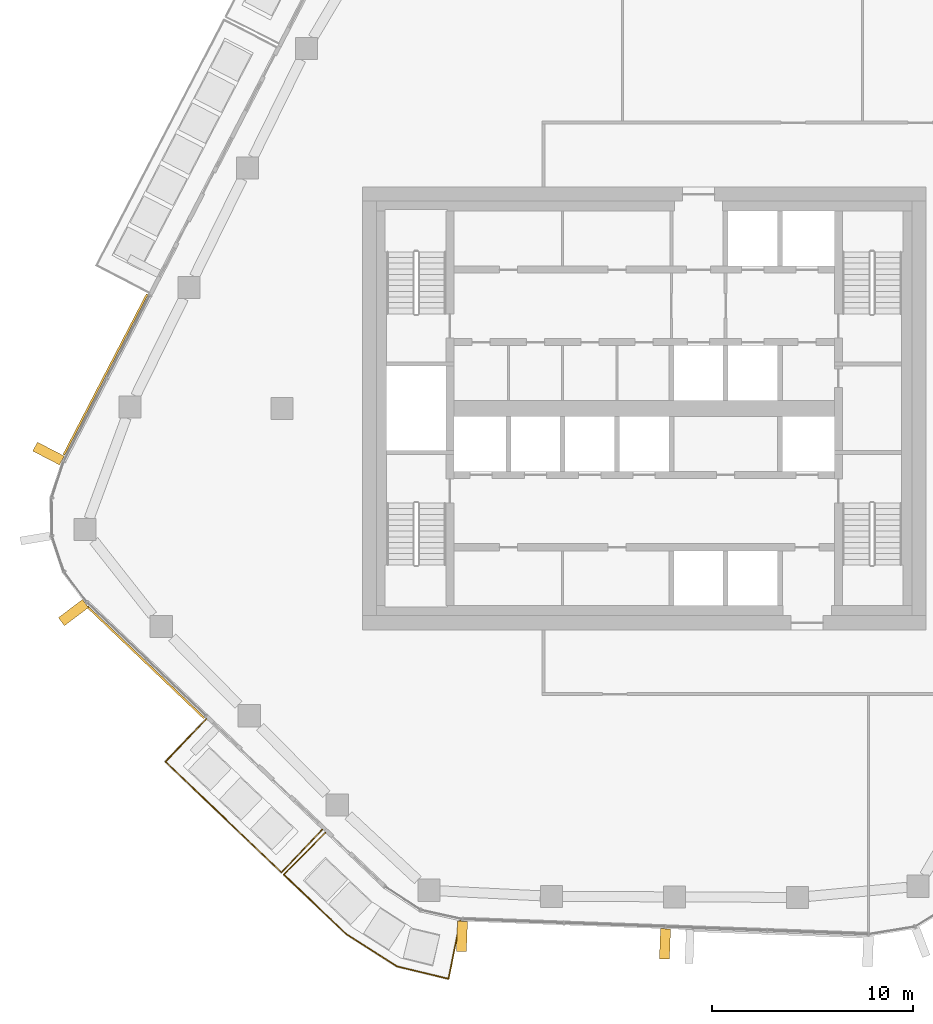
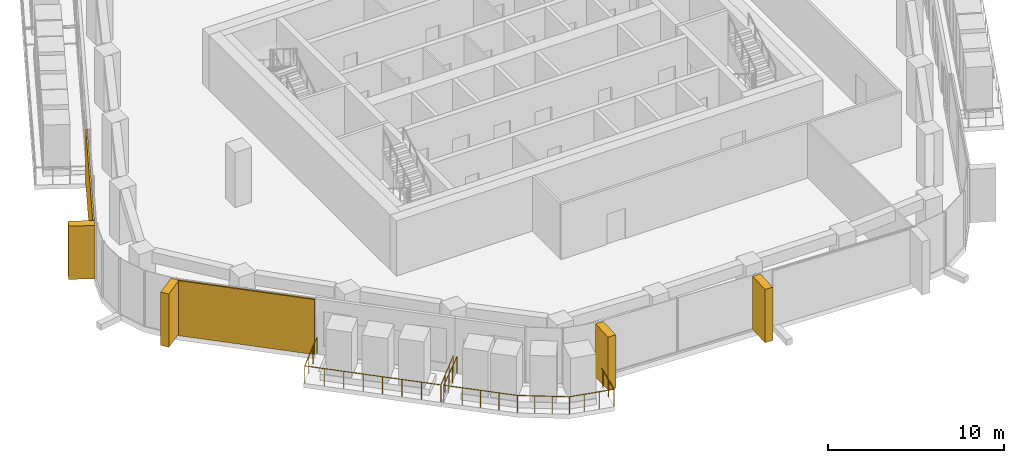
# One storey, part 15 of 21: 6 coverings, 2 railings, 4 elements without a shape of their own.
"""IFC4 building model written with IfcOpenShell, lengths in metres."""

from ifc_helpers import new_model, si_unit, direction, frame, origin, origin_2d, place, context, subcontext, project, spatial, rectangle, circle, extrude, material, layer, layer_set, material_profile, profile_set, type_object, element, aggregate, save


model = new_model("IFC4")

# Units and contexts
model_context = context("Model", 3, precision=1e-05, world=origin(), true_north=direction((0.0, 1.0)))
body_context = subcontext(model_context, "Body", "Model", "MODEL_VIEW")
ifc_project = project(units=[si_unit("LENGTHUNIT", "METRE"), si_unit("AREAUNIT", "SQUARE_METRE"), si_unit("VOLUMEUNIT", "CUBIC_METRE"), si_unit("PLANEANGLEUNIT", "RADIAN"), si_unit("MASSUNIT", "GRAM", prefix="KILO")], contexts=[model_context])

# Site, building, storey
site_placement = place(None, origin())
site = spatial("IfcSite", under=ifc_project, at=site_placement, CompositionType="ELEMENT")
building_placement = place(site_placement, origin())
building = spatial("IfcBuilding", under=site, at=building_placement, Name="Dongbaek Canopy Tower", CompositionType="ELEMENT")
storey_placement = place(building_placement, frame((0.0, 0.0, 270.60009765625)))
storey = spatial("IfcBuildingStorey", under=building, at=storey_placement, Name="L57", CompositionType="ELEMENT", Elevation=270.60009765625)

# Railings
ifc_material_1 = material(Name="Stainless steel", Category="steel")
railing_type = type_object("IfcRailingType", Name="Balcony balustrade 1200", PredefinedType="BALUSTRADE", material=ifc_material_1)
railing_1_placement = place(storey_placement, frame((-21.756591796875, -15.428466796875, 0.0)))
element("IfcRailing", 1, at=railing_1_placement, inside=storey, type_object=railing_type, Name="Balcony guard L57 2", PredefinedType="BALUSTRADE", context=body_context, shape_type="SweptSolid", body=[
    extrude(circle(Radius=0.02392578125, at=origin_2d()), frame((0.0, 0.0, 1.17578125), z_axis=(-0.690473771685, -0.723357429363, 0.0), x_axis=(0.723357429363, -0.690473771685, 0.0)), (0.0, 0.0, 1.0), 2.93994140625),
    extrude(circle(Radius=0.02392578125, at=origin_2d()), frame((-2.030029296875, -2.126708984375, 1.17578125), z_axis=(0.723346496958, -0.690485224562, 0.0), x_axis=(0.690485224562, 0.723346496958, 0.0)), (0.0, 0.0, 1.0), 7.96435546875),
    extrude(circle(Radius=0.02392578125, at=origin_2d()), frame((3.73095703125, -7.6259765625, 1.17578125), z_axis=(0.690473771685, 0.723357429363, 0.0), x_axis=(-0.723357429363, 0.690473771685, 0.0)), (0.0, 0.0, 1.0), 2.93994140625),
    extrude(circle(Radius=0.02099609375, at=origin_2d()), origin(), (0.0, 0.0, 1.0), 1.15185546875),
    extrude(circle(Radius=0.02099609375, at=origin_2d()), frame((-0.6767578125, -0.708984375, 0.0)), (0.0, 0.0, 1.0), 1.15185546875),
    extrude(circle(Radius=0.02099609375, at=origin_2d()), frame((-1.353271484375, -1.417724609375, 0.0)), (0.0, 0.0, 1.0), 1.15185546875),
    extrude(circle(Radius=0.02099609375, at=origin_2d()), frame((-2.030029296875, -2.126708984375, 0.0)), (0.0, 0.0, 1.0), 1.15185546875),
    extrude(circle(Radius=0.02099609375, at=origin_2d()), frame((-1.20703125, -2.912353515625, 0.0)), (0.0, 0.0, 1.0), 1.15185546875),
    extrude(circle(Radius=0.02099609375, at=origin_2d()), frame((-0.384033203125, -3.697998046875, 0.0)), (0.0, 0.0, 1.0), 1.15185546875),
    extrude(circle(Radius=0.02099609375, at=origin_2d()), frame((0.43896484375, -4.483642578125, 0.0)), (0.0, 0.0, 1.0), 1.15185546875),
    extrude(circle(Radius=0.02099609375, at=origin_2d()), frame((1.261962890625, -5.26904296875, 0.0)), (0.0, 0.0, 1.0), 1.15185546875),
    extrude(circle(Radius=0.02099609375, at=origin_2d()), frame((2.0849609375, -6.0546875, 0.0)), (0.0, 0.0, 1.0), 1.15185546875),
    extrude(circle(Radius=0.02099609375, at=origin_2d()), frame((2.907958984375, -6.84033203125, 0.0)), (0.0, 0.0, 1.0), 1.15185546875),
    extrude(circle(Radius=0.02099609375, at=origin_2d()), frame((3.73095703125, -7.6259765625, 0.0)), (0.0, 0.0, 1.0), 1.15185546875),
    extrude(circle(Radius=0.02099609375, at=origin_2d()), frame((4.40771484375, -6.9169921875, 0.0)), (0.0, 0.0, 1.0), 1.15185546875),
    extrude(circle(Radius=0.02099609375, at=origin_2d()), frame((5.084228515625, -6.208251953125, 0.0)), (0.0, 0.0, 1.0), 1.15185546875),
    extrude(circle(Radius=0.02099609375, at=origin_2d()), frame((5.760986328125, -5.499267578125, 0.0)), (0.0, 0.0, 1.0), 1.15185546875),
])
railing_2_placement = place(storey_placement, frame((-15.83642578125, -21.07958984375, 0.0)))
element("IfcRailing", 2, at=railing_2_placement, inside=storey, type_object=railing_type, Name="Balcony guard L57 6", PredefinedType="BALUSTRADE", context=body_context, shape_type="SweptSolid", body=[
    extrude(circle(Radius=0.02392578125, at=origin_2d()), frame((0.0, 0.0, 1.17578125), z_axis=(-0.705111430024, -0.709096517584, 0.0), x_axis=(0.709096517584, -0.705111430024, 0.0)), (0.0, 0.0, 1.0), 2.940673828125),
    extrude(circle(Radius=0.02392578125, at=origin_2d()), frame((-2.073486328125, -2.085205078125, 1.17578125), z_axis=(0.725283750395, -0.688450057313, 0.0), x_axis=(0.688450057313, 0.725283750395, 0.0)), (0.0, 0.0, 1.0), 4.308349609375),
    extrude(circle(Radius=0.02392578125, at=origin_2d()), frame((1.05126953125, -5.05126953125, 1.17578125), z_axis=(0.842627660144, -0.538496635422, 0.0), x_axis=(0.538496635422, 0.842627660144, 0.0)), (0.0, 0.0, 1.0), 2.96044921875),
    extrude(circle(Radius=0.02392578125, at=origin_2d()), frame((3.5458984375, -6.6455078125, 1.17578125), z_axis=(0.972181603918, -0.234228369339, 0.0), x_axis=(0.234228369339, 0.972181603918, 0.0)), (0.0, 0.0, 1.0), 2.644287109375),
    extrude(circle(Radius=0.02392578125, at=origin_2d()), frame((6.11669921875, -7.264892578125, 1.17578125), z_axis=(0.196515267577, 0.980500764716, 0.0), x_axis=(-0.980500764716, 0.196515267577, 0.0)), (0.0, 0.0, 1.0), 2.940673828125),
    extrude(circle(Radius=0.02099609375, at=origin_2d()), origin(), (0.0, 0.0, 1.0), 1.15185546875),
    extrude(circle(Radius=0.02099609375, at=origin_2d()), frame((-0.691162109375, -0.695068359375, 0.0)), (0.0, 0.0, 1.0), 1.15185546875),
    extrude(circle(Radius=0.02099609375, at=origin_2d()), frame((-1.38232421875, -1.39013671875, 0.0)), (0.0, 0.0, 1.0), 1.15185546875),
    extrude(circle(Radius=0.02099609375, at=origin_2d()), frame((-2.073486328125, -2.085205078125, 0.0)), (0.0, 0.0, 1.0), 1.15185546875),
    extrude(circle(Radius=0.02099609375, at=origin_2d()), frame((-1.292236328125, -2.82666015625, 0.0)), (0.0, 0.0, 1.0), 1.15185546875),
    extrude(circle(Radius=0.02099609375, at=origin_2d()), frame((-0.51123046875, -3.568359375, 0.0)), (0.0, 0.0, 1.0), 1.15185546875),
    extrude(circle(Radius=0.02099609375, at=origin_2d()), frame((0.27001953125, -4.309814453125, 0.0)), (0.0, 0.0, 1.0), 1.15185546875),
    extrude(circle(Radius=0.02099609375, at=origin_2d()), frame((1.05126953125, -5.05126953125, 0.0)), (0.0, 0.0, 1.0), 1.15185546875),
    extrude(circle(Radius=0.02099609375, at=origin_2d()), frame((1.8828125, -5.582763671875, 0.0)), (0.0, 0.0, 1.0), 1.15185546875),
    extrude(circle(Radius=0.02099609375, at=origin_2d()), frame((2.71435546875, -6.114013671875, 0.0)), (0.0, 0.0, 1.0), 1.15185546875),
    extrude(circle(Radius=0.02099609375, at=origin_2d()), frame((3.5458984375, -6.6455078125, 0.0)), (0.0, 0.0, 1.0), 1.15185546875),
    extrude(circle(Radius=0.02099609375, at=origin_2d()), frame((4.40283203125, -6.85205078125, 0.0)), (0.0, 0.0, 1.0), 1.15185546875),
    extrude(circle(Radius=0.02099609375, at=origin_2d()), frame((5.259765625, -7.058349609375, 0.0)), (0.0, 0.0, 1.0), 1.15185546875),
    extrude(circle(Radius=0.02099609375, at=origin_2d()), frame((6.11669921875, -7.264892578125, 0.0)), (0.0, 0.0, 1.0), 1.15185546875),
    extrude(circle(Radius=0.02099609375, at=origin_2d()), frame((6.309326171875, -6.3037109375, 0.0)), (0.0, 0.0, 1.0), 1.15185546875),
    extrude(circle(Radius=0.02099609375, at=origin_2d()), frame((6.501953125, -5.3427734375, 0.0)), (0.0, 0.0, 1.0), 1.15185546875),
    extrude(circle(Radius=0.02099609375, at=origin_2d()), frame((6.694580078125, -4.381591796875, 0.0)), (0.0, 0.0, 1.0), 1.15185546875),
])

# Curtain wall, covering
ifc_material_2 = material(Name="Aluminium 6063-T6 pale anodised", Category="aluminium")
ifc_layer_1 = layer(ifc_material_2, 0.199951171875)
ifc_layer_set_1 = layer_set([ifc_layer_1], Name="CW-1 unitised tower curtain wall")
curtain_wall_type = type_object("IfcCurtainWallType", Name="CW-1 unitised tower curtain wall", PredefinedType="NOTDEFINED", material=ifc_layer_set_1)
curtain_wall_1_placement = place(storey_placement, origin())
curtain_wall_1 = element("IfcCurtainWall", 3, at=curtain_wall_1_placement, inside=storey, type_object=curtain_wall_type, Name="CW-1 curtain wall F2.1", PredefinedType="NOTDEFINED")
ifc_material_3 = material(Name="Perforated aluminium 6063-T6 pale metal screen", Category="aluminium")
ifc_layer_2 = layer(ifc_material_3, 0.10009765625)
ifc_layer_set_2 = layer_set([ifc_layer_2], Name="Facet screen FS1 100 pale metal")
covering_type_1 = type_object("IfcCoveringType", Name="Facet screen FS1 100 pale metal", PredefinedType="CLADDING", material=ifc_layer_set_2)
covering_1_placement = place(storey_placement, frame((-26.76611328125, 1.686767578125, 0.0), z_axis=(0.0, 0.0, 1.0), x_axis=(-0.460879893376, -0.887462519706, 0.0)))
covering_1 = element("IfcCovering", 4, at=covering_1_placement, type_object=covering_type_1, Name="Facet screen L57 F2", PredefinedType="CLADDING", context=body_context, shape_type="SweptSolid", body=[
    extrude(rectangle(XDim=9.0078125, YDim=0.10009765625, at=origin_2d()), origin(), (0.0, 0.0, 1.0), 3.820068359375),
])

curtain_wall_2_placement = place(storey_placement, origin())
curtain_wall_2 = element("IfcCurtainWall", 5, at=curtain_wall_2_placement, inside=storey, type_object=curtain_wall_type, Name="CW-1 curtain wall F3.1", PredefinedType="NOTDEFINED")
covering_2_placement = place(storey_placement, frame((-24.76953125, -12.6162109375, 0.0), z_axis=(0.0, 0.0, 1.0), x_axis=(0.723350484434, -0.690481047292, 0.0)))
covering_2 = element("IfcCovering", 6, at=covering_2_placement, type_object=covering_type_1, Name="Facet screen L57 F3", PredefinedType="CLADDING", context=body_context, shape_type="SweptSolid", body=[
    extrude(rectangle(XDim=8.0224609375, YDim=0.10009765625, at=origin_2d()), origin(), (0.0, 0.0, 1.0), 3.820068359375),
])
aggregate(curtain_wall_2, [covering_2])

# Covering
ifc_material_4 = material(Name="Aluminium 6063-T6 pale metal fin", Category="aluminium")
ifc_material_profile = material_profile(ifc_material_4, rectangle(XDim=1.5, YDim=0.5, at=origin_2d()), Name="Fin FN1 500 x 1500 pale metal")
ifc_profile_set = profile_set([ifc_material_profile], Name="Aluminium 6063-T6 pale metal fin")
covering_type_2 = type_object("IfcCoveringType", Name="Fin FN1 500 x 1500 pale metal", PredefinedType="CLADDING", material=ifc_profile_set)
covering_3_placement = place(storey_placement, frame((-29.60009765625, -2.2431640625, 0.119873046875), z_axis=(0.0, 0.0, 1.0), x_axis=(-0.887462222541, 0.460880465591, 0.0)))
covering_3 = element("IfcCovering", 7, at=covering_3_placement, type_object=covering_type_2, Name="Fin F2.1.3", PredefinedType="CLADDING", context=body_context, shape_type="SweptSolid", body=[
    extrude(rectangle(XDim=1.5, YDim=0.5, at=origin_2d()), origin(), (0.0, 0.0, 1.0), 3.699951171875),
])

aggregate(curtain_wall_1, [covering_3, covering_1])

# Curtain wall, covering
curtain_wall_3_placement = place(storey_placement, origin())
curtain_wall_3 = element("IfcCurtainWall", 8, at=curtain_wall_3_placement, inside=storey, type_object=curtain_wall_type, Name="CW-1 curtain wall K3.1", PredefinedType="NOTDEFINED")
covering_4_placement = place(storey_placement, frame((-28.359375, -10.1474609375, 0.119873046875), z_axis=(0.0, 0.0, 1.0), x_axis=(-0.797480818021, -0.603344300453, 0.0)))
covering_4 = element("IfcCovering", 9, at=covering_4_placement, type_object=covering_type_2, Name="Fin K3.1.5", PredefinedType="CLADDING", context=body_context, shape_type="SweptSolid", body=[
    extrude(rectangle(XDim=1.5, YDim=0.5, at=origin_2d()), origin(), (0.0, 0.0, 1.0), 3.699951171875),
])
aggregate(curtain_wall_3, [covering_4])

# Curtain wall, coverings
curtain_wall_4_placement = place(storey_placement, origin())
curtain_wall_4 = element("IfcCurtainWall", 10, at=curtain_wall_4_placement, inside=storey, type_object=curtain_wall_type, Name="CW-1 curtain wall F4.1", PredefinedType="NOTDEFINED")
covering_5_placement = place(storey_placement, frame((-9.052978515625, -26.23486328125, 0.119873046875), z_axis=(0.0, 0.0, 1.0), x_axis=(-0.036873891921, -0.999319926798, 0.0)))
covering_5 = element("IfcCovering", 11, at=covering_5_placement, type_object=covering_type_2, Name="Fin F4.1.1", PredefinedType="CLADDING", context=body_context, shape_type="SweptSolid", body=[
    extrude(rectangle(XDim=1.5, YDim=0.5, at=origin_2d()), origin(), (0.0, 0.0, 1.0), 3.699951171875),
])
covering_6_placement = place(storey_placement, frame((1.035888671875, -26.607177734375, 0.119873046875), z_axis=(0.0, 0.0, 1.0), x_axis=(-0.036873891921, -0.999319926798, 0.0)))
covering_6 = element("IfcCovering", 12, at=covering_6_placement, type_object=covering_type_2, Name="Fin F4.1.3", PredefinedType="CLADDING", context=body_context, shape_type="SweptSolid", body=[
    extrude(rectangle(XDim=1.5, YDim=0.5, at=origin_2d()), origin(), (0.0, 0.0, 1.0), 3.699951171875),
])
aggregate(curtain_wall_4, [covering_5, covering_6])

save(model, "model.ifc")
